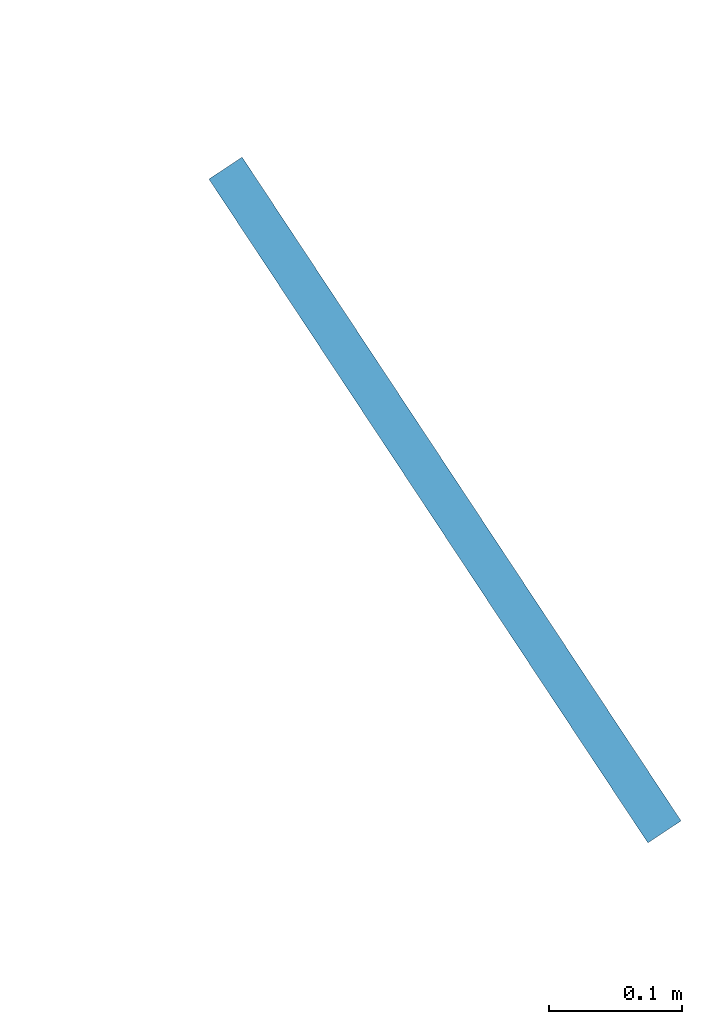
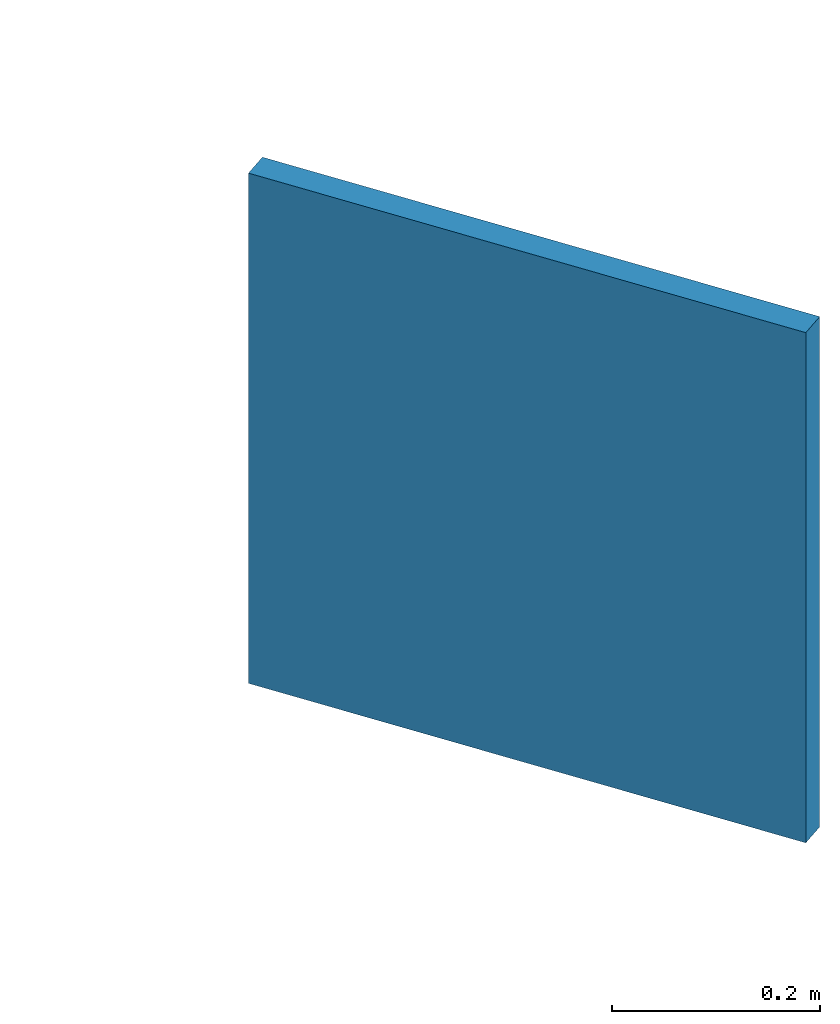
# One storey, part 26 of 29: 1 discrete accessory.
"""IFC4 building model written with IfcOpenShell, lengths in metres."""

from ifc_helpers import new_model, si_unit, direction, frame, origin, origin_2d, place, context, subcontext, project, spatial, rectangle, extrude, material, type_object, element, save


model = new_model("IFC4")

# Units and contexts
model_context = context("Model", 3, precision=1e-05, world=origin(), true_north=direction((0.0, 1.0)))
body_context = subcontext(model_context, "Body", "Model", "MODEL_VIEW")
ifc_project = project(units=[si_unit("LENGTHUNIT", "METRE"), si_unit("AREAUNIT", "SQUARE_METRE"), si_unit("VOLUMEUNIT", "CUBIC_METRE"), si_unit("PLANEANGLEUNIT", "RADIAN"), si_unit("MASSUNIT", "GRAM", prefix="KILO")], contexts=[model_context])

# Site, building, storey
site_placement = place(None, origin())
site = spatial("IfcSite", under=ifc_project, at=site_placement, CompositionType="ELEMENT")
building_placement = place(site_placement, origin())
building = spatial("IfcBuilding", under=site, at=building_placement, Name="Tuul Gate Civic Tower", CompositionType="ELEMENT")
storey_placement = place(building_placement, frame((0.0, 0.0, 238.89990234375)))
storey = spatial("IfcBuildingStorey", under=building, at=storey_placement, Name="Sky garden level 2", CompositionType="ELEMENT", Elevation=238.89990234375)

# Discrete accessory
ifc_material = material(Name="Steel S355", Category="steel")
discrete_accessory_type = type_object("IfcDiscreteAccessoryType", Name="Gusset plate", PredefinedType="BRACKET", material=ifc_material)
discrete_accessory_placement = place(storey_placement, frame((72.70458984375, -20.654541015625, 3.5966796875), z_axis=(0.0, 0.0, 1.0), x_axis=(-0.551645433906, 0.834078722454, 0.0)))
element("IfcDiscreteAccessory", 1, at=discrete_accessory_placement, inside=storey, type_object=discrete_accessory_type, Name="Gusset plate", PredefinedType="BRACKET", context=body_context, shape_type="SweptSolid", body=[
    extrude(rectangle(XDim=0.60009765625, YDim=0.030029296875, at=origin_2d()), origin(), (0.0, 0.0, 1.0), 0.60009765625),
])

save(model, "model.ifc")
